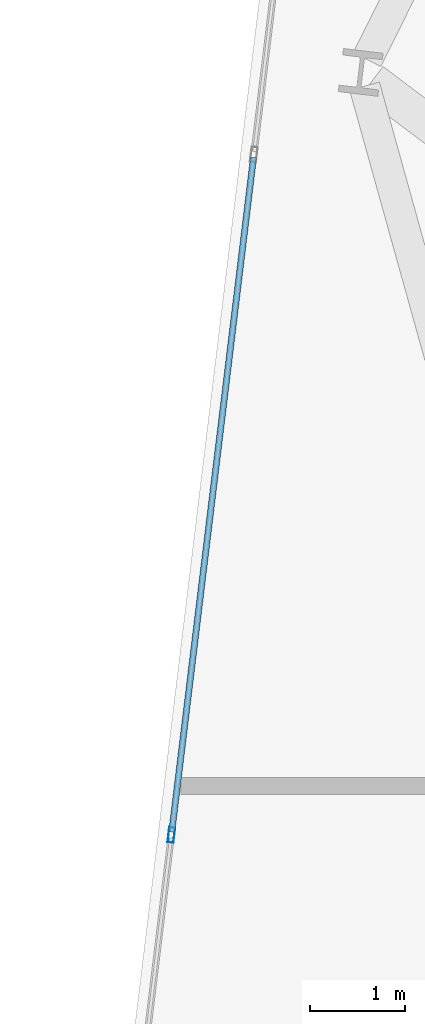
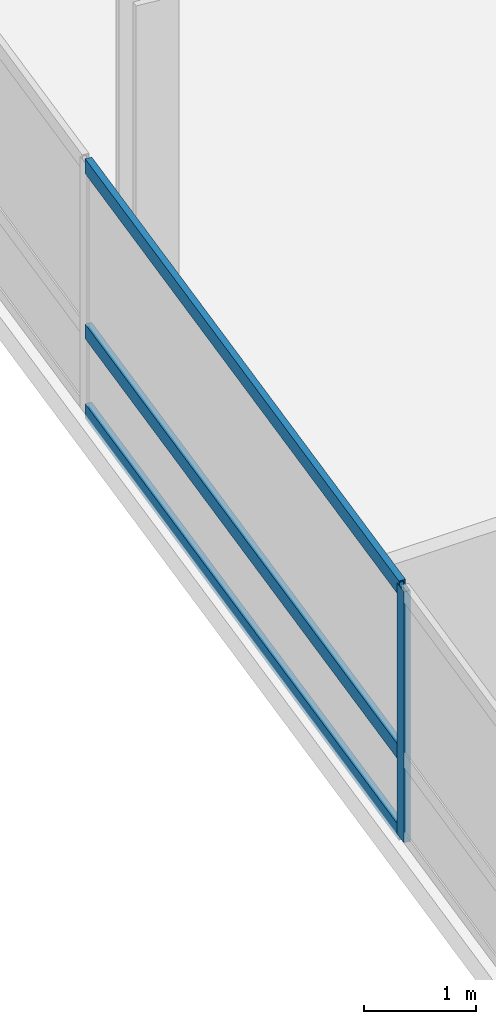
# One storey, part 6 of 26: 4 members, 1 element without a shape of its own.
"""IFC4 building model written with IfcOpenShell, lengths in metres."""

from ifc_helpers import new_model, si_unit, direction, frame, origin, origin_2d, place, context, subcontext, project, spatial, hollow_rectangle, extrude, material, layer, layer_set, material_profile, profile_set, type_object, element, aggregate, save


model = new_model("IFC4")

# Units and contexts
model_context = context("Model", 3, precision=1e-05, world=origin(), true_north=direction((0.0, 1.0)))
body_context = subcontext(model_context, "Body", "Model", "MODEL_VIEW")
ifc_project = project(units=[si_unit("LENGTHUNIT", "METRE"), si_unit("AREAUNIT", "SQUARE_METRE"), si_unit("VOLUMEUNIT", "CUBIC_METRE"), si_unit("PLANEANGLEUNIT", "RADIAN"), si_unit("MASSUNIT", "GRAM", prefix="KILO")], contexts=[model_context])

# Site, building, storey
site_placement = place(None, origin())
site = spatial("IfcSite", under=ifc_project, at=site_placement, CompositionType="ELEMENT")
building_placement = place(site_placement, origin())
building = spatial("IfcBuilding", under=site, at=building_placement, Name="Varnelok Gate Tower", CompositionType="ELEMENT")
storey_placement = place(building_placement, frame((0.0, 0.0, 129.10009765625)))
storey = spatial("IfcBuildingStorey", under=building, at=storey_placement, Name="L32", CompositionType="ELEMENT", Elevation=129.10009765625)

# Curtain wall, members
ifc_material = material(Name="Anodized Aluminum Alloy 6063-T6", Category="aluminium")
ifc_layer = layer(ifc_material, 0.179931640625)
ifc_layer_set = layer_set([ifc_layer], Name="Anodized Aluminum Alloy 6063-T6")
curtain_wall_type = type_object("IfcCurtainWallType", Name="CW3-HOTEL-VISION", PredefinedType="USERDEFINED", material=ifc_layer_set)
curtain_wall_placement = place(storey_placement, origin())
curtain_wall = element("IfcCurtainWall", 1, at=curtain_wall_placement, inside=storey, type_object=curtain_wall_type, Name="L32 West End Vision Curtain Wall", ObjectType="UNITISED CURTAIN WALL", PredefinedType="USERDEFINED")
ifc_material_profile_1 = material_profile(ifc_material, hollow_rectangle(XDim=0.06494140625, YDim=0.159912109375, WallThickness=0.00390625, at=origin_2d()), Name="ALU160X65X4")
ifc_profile_set_1 = profile_set([ifc_material_profile_1], Name="Anodized Aluminum Alloy 6063-T6")
member_type_1 = type_object("IfcMemberType", Name="CW-MULL-160", PredefinedType="MULLION", material=ifc_profile_set_1)
member_1_placement = place(storey_placement, frame((1.97607421875, 26.186279296875, 0.0), z_axis=(0.0, 0.0, 1.0), x_axis=(-0.99273188146, 0.120347046212, 0.0)))
member_1 = element("IfcMember", 2, at=member_1_placement, type_object=member_type_1, Name="CW3 mullion 3", PredefinedType="MULLION", context=body_context, shape_type="SweptSolid", body=[
    extrude(hollow_rectangle(XDim=0.06494140625, YDim=0.159912109375, WallThickness=0.00390625, at=origin_2d()), origin(), (0.0, 0.0, 1.0), 2.72998046875),
])
ifc_material_profile_2 = material_profile(ifc_material, hollow_rectangle(XDim=0.06494140625, YDim=0.159912109375, WallThickness=0.00390625, at=origin_2d()), Name="ALU160X65X4")
ifc_profile_set_2 = profile_set([ifc_material_profile_2], Name="Anodized Aluminum Alloy 6063-T6")
member_type_2 = type_object("IfcMemberType", Name="CW-TRAN-160", PredefinedType="USERDEFINED", material=ifc_profile_set_2)
member_2_placement = place(storey_placement, frame((1.97998046875, 26.218505859375, 0.032470703125), z_axis=(0.120344652138, 0.992732171687, 0.0), x_axis=(-0.992732171687, 0.120344652138, 0.0)))
member_2 = element("IfcMember", 3, at=member_2_placement, type_object=member_type_2, Name="CW3 transom 3.1", ObjectType="TRANSOM", PredefinedType="USERDEFINED", context=body_context, shape_type="SweptSolid", body=[
    extrude(hollow_rectangle(XDim=0.06494140625, YDim=0.159912109375, WallThickness=0.00390625, at=origin_2d()), origin(), (0.0, 0.0, 1.0), 7.134765625),
])
member_3_placement = place(storey_placement, frame((1.97998046875, 26.218505859375, 0.89990234375), z_axis=(0.120344652138, 0.992732171687, 0.0), x_axis=(-0.992732171687, 0.120344652138, 0.0)))
member_3 = element("IfcMember", 4, at=member_3_placement, type_object=member_type_2, Name="CW3 transom 3.2", ObjectType="TRANSOM", PredefinedType="USERDEFINED", context=body_context, shape_type="SweptSolid", body=[
    extrude(hollow_rectangle(XDim=0.06494140625, YDim=0.159912109375, WallThickness=0.00390625, at=origin_2d()), origin(), (0.0, 0.0, 1.0), 7.134765625),
])
member_4_placement = place(storey_placement, frame((1.97998046875, 26.218505859375, 2.697509765625), z_axis=(0.120344652138, 0.992732171687, 0.0), x_axis=(-0.992732171687, 0.120344652138, 0.0)))
member_4 = element("IfcMember", 5, at=member_4_placement, type_object=member_type_2, Name="CW3 transom 3.3", ObjectType="TRANSOM", PredefinedType="USERDEFINED", context=body_context, shape_type="SweptSolid", body=[
    extrude(hollow_rectangle(XDim=0.06494140625, YDim=0.159912109375, WallThickness=0.00390625, at=origin_2d()), origin(), (0.0, 0.0, 1.0), 7.134765625),
])
aggregate(curtain_wall, [member_1, member_2, member_3, member_4])

save(model, "model.ifc")
